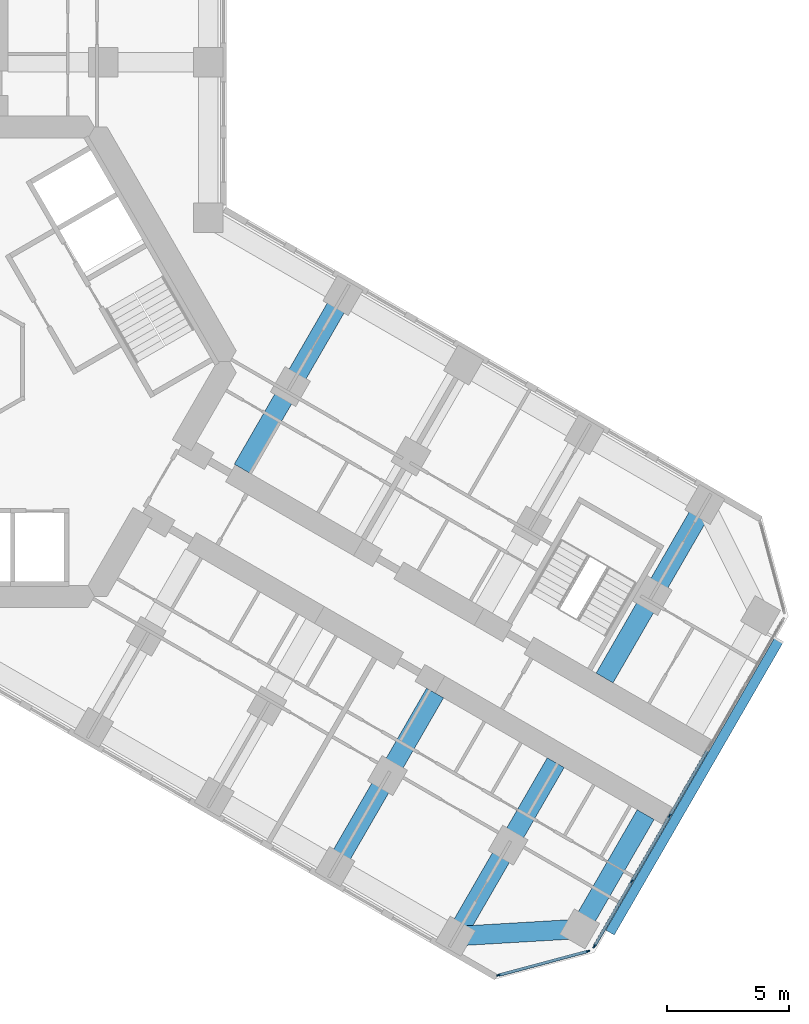
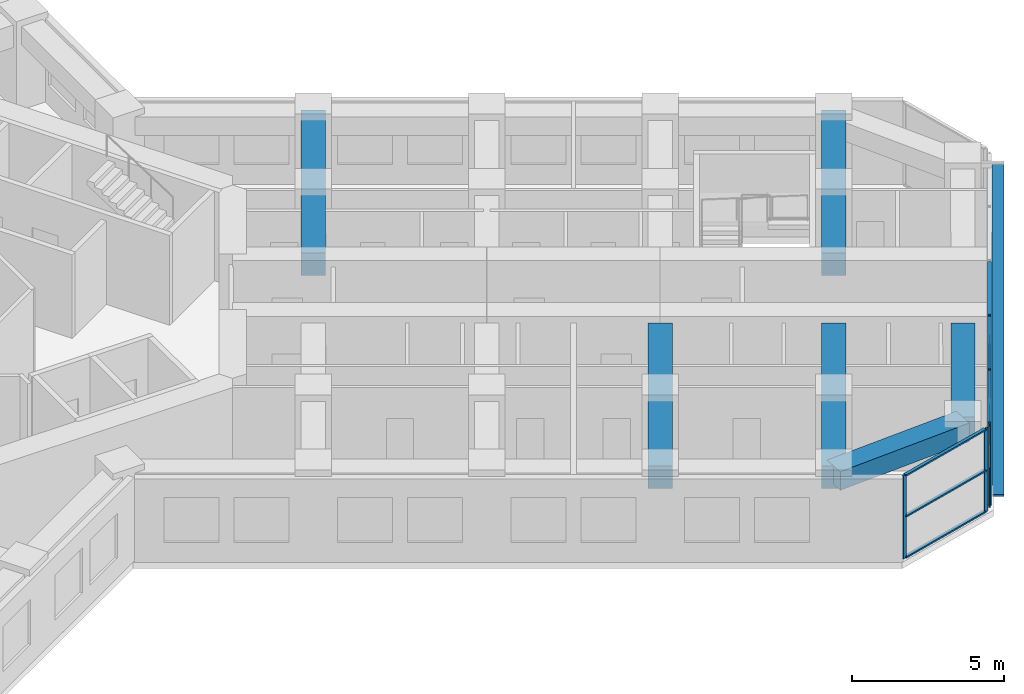
# One storey, part 5 of 20: 15 members, 6 beams, 2 elements without a shape of their own.
"""IFC4 building model written with IfcOpenShell, lengths in metres."""

from ifc_helpers import new_model, si_unit, direction, frame, origin, origin_2d, place, context, subcontext, project, spatial, rectangle, extrude, material, material_profile, profile_set, type_object, element, aggregate, save


model = new_model("IFC4")

# Units and contexts
model_context = context("Model", 3, precision=1e-05, world=origin(), true_north=direction((0.0, 1.0)))
body_context = subcontext(model_context, "Body", "Model", "MODEL_VIEW")
ifc_project = project(units=[si_unit("LENGTHUNIT", "METRE"), si_unit("AREAUNIT", "SQUARE_METRE"), si_unit("VOLUMEUNIT", "CUBIC_METRE"), si_unit("PLANEANGLEUNIT", "RADIAN"), si_unit("MASSUNIT", "GRAM", prefix="KILO")], contexts=[model_context])

# Site, building, storey
site_placement = place(None, origin())
site = spatial("IfcSite", under=ifc_project, at=site_placement, CompositionType="ELEMENT")
building_placement = place(site_placement, origin())
building = spatial("IfcBuilding", under=site, at=building_placement, Name="Kosmar Iwan School Tower", CompositionType="ELEMENT")
storey_placement = place(building_placement, frame((0.0, 0.0, 123.800048828125)))
storey = spatial("IfcBuildingStorey", under=building, at=storey_placement, Name="L30", CompositionType="ELEMENT", Elevation=123.800048828125)

# Member
ifc_material_1 = material(Name="Black anodised aluminium", Category="aluminium")
ifc_material_profile_1 = material_profile(ifc_material_1, rectangle(XDim=0.10009765625, YDim=0.39990234375, at=origin_2d()), Name="FIN 100x400")
ifc_profile_set_1 = profile_set([ifc_material_profile_1], Name="Black anodised aluminium")
member_type_1 = type_object("IfcMemberType", Name="Diagonal fin 100x400", PredefinedType="USERDEFINED", material=ifc_profile_set_1)
member_1_placement = place(storey_placement, frame((26.645263671875, -23.34912109375, -0.150146484375), z_axis=(0.483793446988, 0.837970316603, 0.25248692866), x_axis=(-0.126241714543, -0.218661104574, 0.96760030532)))
element("IfcMember", 1, at=member_1_placement, inside=storey, type_object=member_type_1, Name="Diagonal fin L30-F03", ObjectType="FIN", PredefinedType="USERDEFINED", context=body_context, shape_type="SweptSolid", body=[
    extrude(rectangle(XDim=0.10009765625, YDim=0.39990234375, at=origin_2d()), origin(), (0.0, 0.0, 1.0), 14.258544921875),
])

# Curtain wall, members
ifc_material_2 = material(Name="Dark glass in black aluminium frame", Category="aluminium")
curtain_wall_type_1 = type_object("IfcCurtainWallType", Name="Chamfer curtain wall dark glass", PredefinedType="USERDEFINED", material=ifc_material_2)
curtain_wall_1_placement = place(storey_placement, origin())
curtain_wall_1 = element("IfcCurtainWall", 2, at=curtain_wall_1_placement, inside=storey, type_object=curtain_wall_type_1, Name="Curtain wall L30-F02", ObjectType="FACETED CURTAIN WALL", PredefinedType="USERDEFINED")
ifc_material_3 = material(Name="Black anodised aluminium", Category="aluminium")
ifc_material_profile_2 = material_profile(ifc_material_3, rectangle(XDim=0.06005859375, YDim=0.159912109375, at=origin_2d()), Name="MULLION 60x160")
ifc_profile_set_2 = profile_set([ifc_material_profile_2], Name="Black anodised aluminium")
member_type_2 = type_object("IfcMemberType", Name="Mullion 60x160", PredefinedType="MULLION", material=ifc_profile_set_2)
member_2_placement = place(storey_placement, frame((22.0830078125, -25.102294921875, 0.0), z_axis=(0.0, 0.0, 1.0), x_axis=(-0.258818861462, 0.965925875495, 0.0)))
member_2 = element("IfcMember", 3, at=member_2_placement, type_object=member_type_2, Name="CW2 mullion 1", PredefinedType="MULLION", context=body_context, shape_type="SweptSolid", body=[
    extrude(rectangle(XDim=0.06005859375, YDim=0.159912109375, at=origin_2d()), origin(), (0.0, 0.0, 1.0), 3.349853515625),
])
member_3_placement = place(storey_placement, frame((25.733154296875, -24.124267578125, 0.0), z_axis=(0.0, 0.0, 1.0), x_axis=(-0.258818861462, 0.965925875495, 0.0)))
member_3 = element("IfcMember", 4, at=member_3_placement, type_object=member_type_2, Name="CW2 mullion 2", PredefinedType="MULLION", context=body_context, shape_type="SweptSolid", body=[
    extrude(rectangle(XDim=0.06005859375, YDim=0.159912109375, at=origin_2d()), origin(), (0.0, 0.0, 1.0), 3.349853515625),
])

ifc_material_4 = material(Name="Dark glass in black aluminium frame", Category="aluminium")
curtain_wall_type_2 = type_object("IfcCurtainWallType", Name="Tower curtain wall dark glass", PredefinedType="USERDEFINED", material=ifc_material_4)
curtain_wall_2_placement = place(storey_placement, origin())
curtain_wall_2 = element("IfcCurtainWall", 5, at=curtain_wall_2_placement, inside=storey, type_object=curtain_wall_type_2, Name="Curtain wall L30-F03", ObjectType="UNITISED CURTAIN WALL", PredefinedType="USERDEFINED")
member_4_placement = place(storey_placement, frame((25.9970703125, -23.921630859375, 0.0), z_axis=(0.0, 0.0, 1.0), x_axis=(-0.866025405329, 0.499999997325, 0.0)))
member_4 = element("IfcMember", 6, at=member_4_placement, type_object=member_type_2, Name="CW1 mullion 1", PredefinedType="MULLION", context=body_context, shape_type="SweptSolid", body=[
    extrude(rectangle(XDim=0.06005859375, YDim=0.159912109375, at=origin_2d()), origin(), (0.0, 0.0, 1.0), 3.349853515625),
])
member_5_placement = place(storey_placement, frame((27.53173828125, -21.263671875, 0.0), z_axis=(0.0, 0.0, 1.0), x_axis=(-0.866025405329, 0.499999997325, 0.0)))
member_5 = element("IfcMember", 7, at=member_5_placement, type_object=member_type_2, Name="CW1 mullion 2", PredefinedType="MULLION", context=body_context, shape_type="SweptSolid", body=[
    extrude(rectangle(XDim=0.06005859375, YDim=0.159912109375, at=origin_2d()), origin(), (0.0, 0.0, 1.0), 3.349853515625),
])
member_6_placement = place(storey_placement, frame((29.081298828125, -18.57958984375, 0.0), z_axis=(0.0, 0.0, 1.0), x_axis=(-0.866025405329, 0.499999997325, 0.0)))
member_6 = element("IfcMember", 8, at=member_6_placement, type_object=member_type_2, Name="CW1 mullion 3", PredefinedType="MULLION", context=body_context, shape_type="SweptSolid", body=[
    extrude(rectangle(XDim=0.06005859375, YDim=0.159912109375, at=origin_2d()), origin(), (0.0, 0.0, 1.0), 3.349853515625),
])

# Beams
ifc_material_5 = material(Name="Concrete C50/60", Category="concrete")
ifc_material_profile_3 = material_profile(ifc_material_5, rectangle(XDim=0.800048828125, YDim=0.75, at=origin_2d()), Name="RC 800x750")
ifc_profile_set_3 = profile_set([ifc_material_profile_3], Name="Concrete C50/60")
beam_type_1 = type_object("IfcBeamType", Name="RC tip beam 800x750", PredefinedType="BEAM", material=ifc_profile_set_3)
beam_1_placement = place(storey_placement, frame((20.31787109375, -23.508544921875, 2.974853515625), z_axis=(0.998260616478, 0.058955420358, 0.0), x_axis=(-0.058955420358, 0.998260616478, 0.0)))
element("IfcBeam", 9, at=beam_1_placement, inside=storey, type_object=beam_type_1, Name="Tip beam CR", PredefinedType="BEAM", context=body_context, shape_type="SweptSolid", body=[
    extrude(rectangle(XDim=0.800048828125, YDim=0.75, at=origin_2d()), origin(), (0.0, 0.0, 1.0), 5.08935546875),
])
beam_2_placement = place(storey_placement, frame((25.3984375, -23.20849609375, 2.974853515625), z_axis=(0.499995103361, 0.866028230842, 0.0), x_axis=(-0.866028230842, 0.499995103361, 0.0)))
element("IfcBeam", 10, at=beam_2_placement, inside=storey, type_object=beam_type_1, Name="Tip beam CR to corridor wall", PredefinedType="BEAM", context=body_context, shape_type="SweptSolid", body=[
    extrude(rectangle(XDim=0.800048828125, YDim=0.75, at=origin_2d()), origin(), (0.0, 0.0, 1.0), 5.39990234375),
])
ifc_material_6 = material(Name="Concrete C50/60", Category="concrete")
ifc_material_profile_4 = material_profile(ifc_material_6, rectangle(XDim=0.800048828125, YDim=0.89990234375, at=origin_2d()), Name="RC 800x900")
ifc_profile_set_4 = profile_set([ifc_material_profile_4], Name="Concrete C50/60")
beam_type_2 = type_object("IfcBeamType", Name="RC transverse beam 800x900", PredefinedType="BEAM", material=ifc_profile_set_4)
for number, where, z_axis, x_axis, name in (
    (11, (15.708740234375, 2.70849609375, 2.89990234375), (-0.499978459874, -0.866037839625, 0.0), (0.866037839625, -0.499978459874, 0.0), "Transverse beam CL1"),
    (12, (30.517822265625, -5.841552734375, 2.89990234375), (-0.500013681986, -0.866017504342, 0.0), (0.866017504342, -0.500013681986, 0.0), "Transverse beam CL4"),
    (13, (15.381591796875, -20.658447265625, 2.89990234375), (0.49999135188, 0.866030396721, 0.0), (-0.866030396721, 0.49999135188, 0.0), "Transverse beam CR3"),
    (14, (20.31787109375, -23.508544921875, 2.89990234375), (0.499978459874, 0.866037839625, 0.0), (-0.866037839625, 0.499978459874, 0.0), "Transverse beam CR4"),
):
    element("IfcBeam", number, at=place(storey_placement, frame(where, z_axis=z_axis, x_axis=x_axis)), inside=storey, type_object=beam_type_2, Name=name, PredefinedType="BEAM", context=body_context, shape_type="SweptSolid", body=[
        extrude(rectangle(XDim=0.800048828125, YDim=0.89990234375, at=origin_2d()), origin(), (0.0, 0.0, 1.0), 8.199951171875),
    ])

# Member
ifc_material_7 = material(Name="Black anodised aluminium", Category="aluminium")
ifc_material_profile_5 = material_profile(ifc_material_7, rectangle(XDim=0.1201171875, YDim=0.06005859375, at=origin_2d()), Name="TRANSOM 60x120")
ifc_profile_set_5 = profile_set([ifc_material_profile_5], Name="Black anodised aluminium")
member_type_3 = type_object("IfcMemberType", Name="Transom 60x120", PredefinedType="USERDEFINED", material=ifc_profile_set_5)
member_7_placement = place(storey_placement, frame((22.11181640625, -25.094482421875, 0.030029296875), z_axis=(0.965923731726, 0.258826861991, 0.0), x_axis=(-0.258826861991, 0.965923731726, 0.0)))
member_7 = element("IfcMember", 15, at=member_7_placement, type_object=member_type_3, Name="CW2 transom 1.1", ObjectType="TRANSOM", PredefinedType="USERDEFINED", context=body_context, shape_type="SweptSolid", body=[
    extrude(rectangle(XDim=0.1201171875, YDim=0.06005859375, at=origin_2d()), origin(), (0.0, 0.0, 1.0), 3.71923828125),
])

member_8_placement = place(storey_placement, frame((22.11181640625, -25.094482421875, 1.675048828125), z_axis=(0.965923731726, 0.258826861991, 0.0), x_axis=(-0.258826861991, 0.965923731726, 0.0)))
member_8 = element("IfcMember", 16, at=member_8_placement, type_object=member_type_3, Name="CW2 transom 1.2", ObjectType="TRANSOM", PredefinedType="USERDEFINED", context=body_context, shape_type="SweptSolid", body=[
    extrude(rectangle(XDim=0.1201171875, YDim=0.06005859375, at=origin_2d()), origin(), (0.0, 0.0, 1.0), 3.71923828125),
])

member_9_placement = place(storey_placement, frame((22.11181640625, -25.094482421875, 3.320068359375), z_axis=(0.965923731726, 0.258826861991, 0.0), x_axis=(-0.258826861991, 0.965923731726, 0.0)))
member_9 = element("IfcMember", 17, at=member_9_placement, type_object=member_type_3, Name="CW2 transom 1.3", ObjectType="TRANSOM", PredefinedType="USERDEFINED", context=body_context, shape_type="SweptSolid", body=[
    extrude(rectangle(XDim=0.1201171875, YDim=0.06005859375, at=origin_2d()), origin(), (0.0, 0.0, 1.0), 3.71923828125),
])

aggregate(curtain_wall_1, [member_2, member_3, member_7, member_8, member_9])

member_10_placement = place(storey_placement, frame((26.01220703125, -23.895751953125, 0.030029296875), z_axis=(0.499986971506, 0.866032925658, 0.0), x_axis=(-0.866032925658, 0.499986971506, 0.0)))
member_10 = element("IfcMember", 18, at=member_10_placement, type_object=member_type_3, Name="CW1 transom 1.1", ObjectType="TRANSOM", PredefinedType="USERDEFINED", context=body_context, shape_type="SweptSolid", body=[
    extrude(rectangle(XDim=0.1201171875, YDim=0.06005859375, at=origin_2d()), origin(), (0.0, 0.0, 1.0), 3.00927734375),
])

member_11_placement = place(storey_placement, frame((26.01220703125, -23.895751953125, 3.320068359375), z_axis=(0.499986971506, 0.866032925658, 0.0), x_axis=(-0.866032925658, 0.499986971506, 0.0)))
member_11 = element("IfcMember", 19, at=member_11_placement, type_object=member_type_3, Name="CW1 transom 1.2", ObjectType="TRANSOM", PredefinedType="USERDEFINED", context=body_context, shape_type="SweptSolid", body=[
    extrude(rectangle(XDim=0.1201171875, YDim=0.06005859375, at=origin_2d()), origin(), (0.0, 0.0, 1.0), 3.00927734375),
])

member_12_placement = place(storey_placement, frame((27.546875, -21.237548828125, 0.030029296875), z_axis=(0.499975102327, 0.866039777986, 0.0), x_axis=(-0.866039777986, 0.499975102327, 0.0)))
member_12 = element("IfcMember", 20, at=member_12_placement, type_object=member_type_3, Name="CW1 transom 2.1", ObjectType="TRANSOM", PredefinedType="USERDEFINED", context=body_context, shape_type="SweptSolid", body=[
    extrude(rectangle(XDim=0.1201171875, YDim=0.06005859375, at=origin_2d()), origin(), (0.0, 0.0, 1.0), 3.039306640625),
])

member_13_placement = place(storey_placement, frame((27.546875, -21.237548828125, 3.320068359375), z_axis=(0.499975102327, 0.866039777986, 0.0), x_axis=(-0.866039777986, 0.499975102327, 0.0)))
member_13 = element("IfcMember", 21, at=member_13_placement, type_object=member_type_3, Name="CW1 transom 2.2", ObjectType="TRANSOM", PredefinedType="USERDEFINED", context=body_context, shape_type="SweptSolid", body=[
    extrude(rectangle(XDim=0.1201171875, YDim=0.06005859375, at=origin_2d()), origin(), (0.0, 0.0, 1.0), 3.039306640625),
])

member_14_placement = place(storey_placement, frame((29.096435546875, -18.553466796875, 0.030029296875), z_axis=(0.499975102327, 0.866039777986, 0.0), x_axis=(-0.866039777986, 0.499975102327, 0.0)))
member_14 = element("IfcMember", 22, at=member_14_placement, type_object=member_type_3, Name="CW1 transom 3.1", ObjectType="TRANSOM", PredefinedType="USERDEFINED", context=body_context, shape_type="SweptSolid", body=[
    extrude(rectangle(XDim=0.1201171875, YDim=0.06005859375, at=origin_2d()), origin(), (0.0, 0.0, 1.0), 3.039306640625),
])

member_15_placement = place(storey_placement, frame((29.096435546875, -18.553466796875, 3.320068359375), z_axis=(0.499975102327, 0.866039777986, 0.0), x_axis=(-0.866039777986, 0.499975102327, 0.0)))
member_15 = element("IfcMember", 23, at=member_15_placement, type_object=member_type_3, Name="CW1 transom 3.2", ObjectType="TRANSOM", PredefinedType="USERDEFINED", context=body_context, shape_type="SweptSolid", body=[
    extrude(rectangle(XDim=0.1201171875, YDim=0.06005859375, at=origin_2d()), origin(), (0.0, 0.0, 1.0), 3.039306640625),
])

aggregate(curtain_wall_2, [member_4, member_5, member_6, member_10, member_11, member_12, member_13, member_14, member_15])

save(model, "model.ifc")
